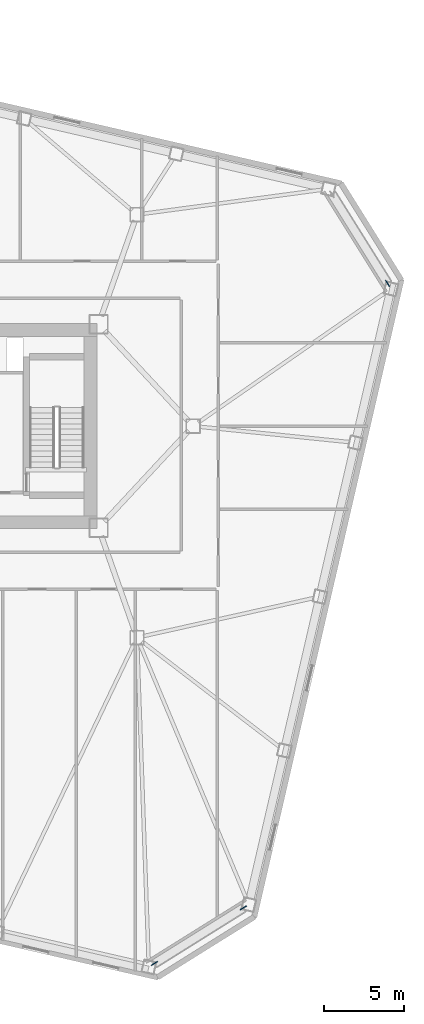
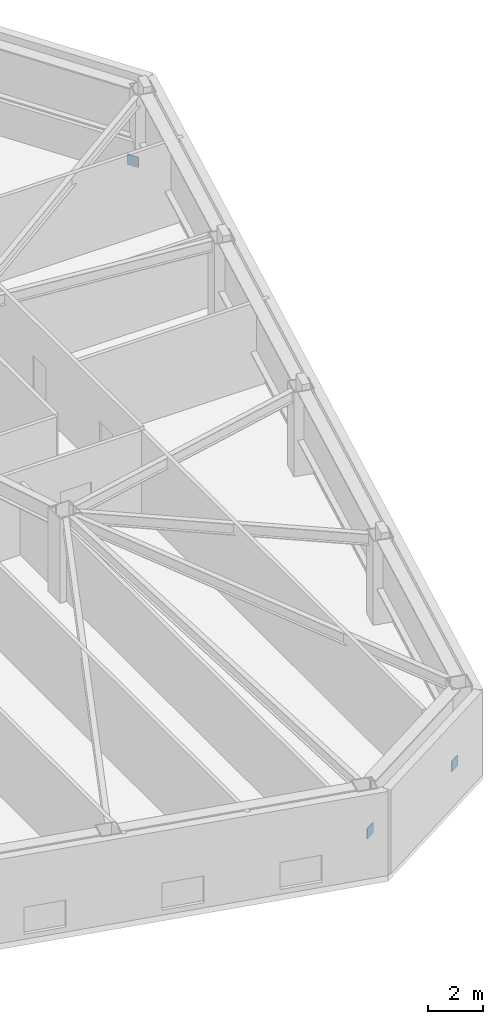
# One storey, part 17 of 20: 3 discrete accessories.
"""IFC4 building model written with IfcOpenShell, lengths in metres."""

from ifc_helpers import new_model, si_unit, direction, frame, origin, origin_2d, place, context, subcontext, project, spatial, rectangle, extrude, material, type_object, element, save


model = new_model("IFC4")

# Units and contexts
model_context = context("Model", 3, precision=1e-05, world=origin(), true_north=direction((0.0, 1.0)))
body_context = subcontext(model_context, "Body", "Model", "MODEL_VIEW")
ifc_project = project(units=[si_unit("LENGTHUNIT", "METRE"), si_unit("AREAUNIT", "SQUARE_METRE"), si_unit("VOLUMEUNIT", "CUBIC_METRE"), si_unit("PLANEANGLEUNIT", "RADIAN"), si_unit("MASSUNIT", "GRAM", prefix="KILO")], contexts=[model_context])

# Site, building, storey
site_placement = place(None, origin())
site = spatial("IfcSite", under=ifc_project, at=site_placement, CompositionType="ELEMENT")
building_placement = place(site_placement, origin())
building = spatial("IfcBuilding", under=site, at=building_placement, Name="Tavrogorsk Clinical Tower", CompositionType="ELEMENT")
storey_placement = place(building_placement, frame((0.0, 0.0, 39.39990234375)))
storey = spatial("IfcBuildingStorey", under=building, at=storey_placement, Name="L07", CompositionType="ELEMENT", Elevation=39.39990234375)

# Discrete accessories
ifc_material = material(Name="Structural steel S440", Category="steel")
discrete_accessory_type = type_object("IfcDiscreteAccessoryType", Name="GussetPlateBracket_25", PredefinedType="BRACKET", material=ifc_material)
for number, where, z_axis, x_axis, name in (
    (1, (31.134521484375, -30.0732421875, 0.13525390625), (0.0, 0.0, 1.0), (-0.848048096156, -0.529919264233, 0.0), "L07 Brace Gusset Plate EXOCRN-L07-1-A"),
    (2, (25.581298828125, -33.543212890625, 1.195068359375), (0.0, 0.0, 1.0), (-0.848048096156, -0.529919264233, 0.0), "L07 Brace Gusset Plate EXOCRN-L07-1-B"),
    (3, (40.134765625, 8.9111328125, 0.13525390625), (0.0, 0.0, 1.0), (-0.529919264233, 0.848048096156, 0.0), "L07 Brace Gusset Plate EXOCRN-L07-2-A"),
):
    element("IfcDiscreteAccessory", number, at=place(storey_placement, frame(where, z_axis=z_axis, x_axis=x_axis)), inside=storey, type_object=discrete_accessory_type, Name=name, PredefinedType="BRACKET", context=body_context, shape_type="SweptSolid", body=[
        extrude(rectangle(XDim=0.4599609375, YDim=0.0400390625, at=origin_2d()), origin(), (0.0, 0.0, 1.0), 0.4599609375),
    ])

save(model, "model.ifc")
